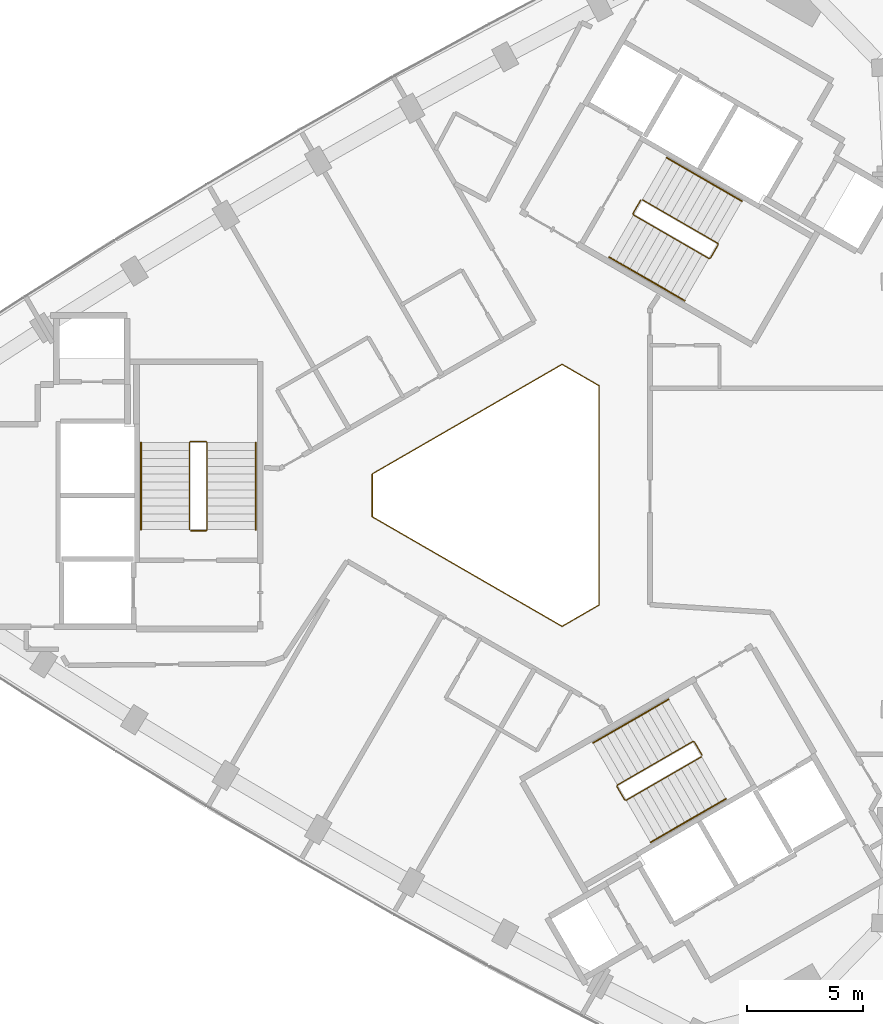
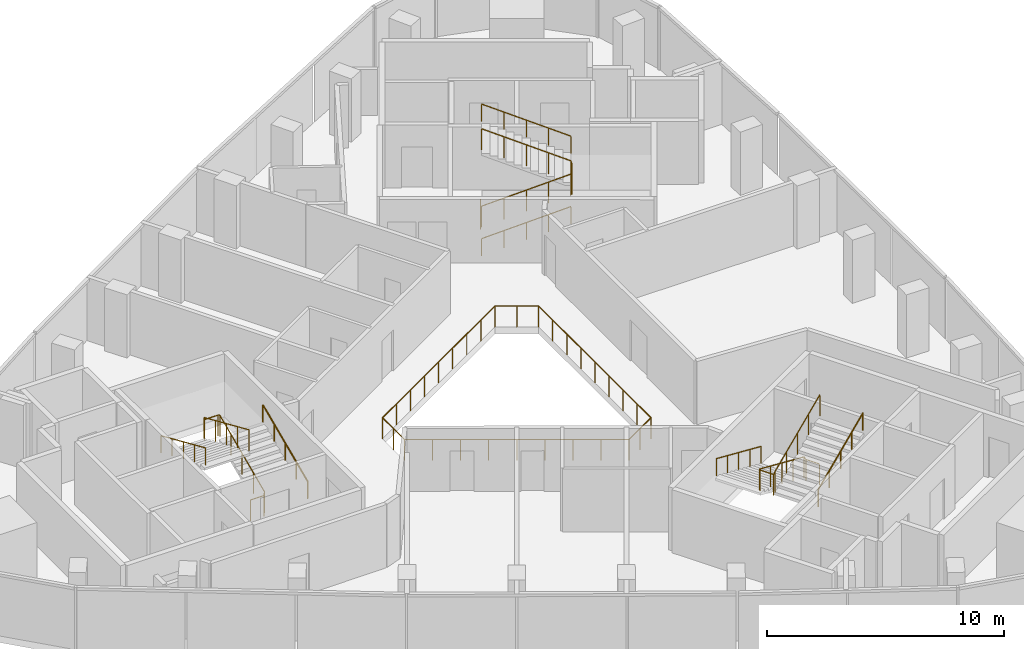
# One storey, part 11 of 11: 10 railings.
"""IFC4 building model written with IfcOpenShell, lengths in metres."""

import ifcopenshell
import ifcopenshell.guid

model = None  # the IFC model being written
_history = None  # IfcOwnerHistory: only IFC2X3 demands one
_inside = {}  # id of a spatial element -> (the spatial element, [elements in it])
_under = {}  # id of a project, library or spatial element -> (it, [spatial elements below it])
_declared = {}  # id of a project -> (the project, [libraries it declares])
_typed = {}  # id of a type object -> (the type object, [elements of that type])
_made_of = {}  # id of a material, layer set ... -> (it, [elements and type objects made of it])


def new_model(schema):
    """Start an empty IFC model of exactly this schema.

    Asked for "IFC4X3", IfcOpenShell would pick the latest addendum, in which some entities
    have other attributes; the version numbers below select the first issue.
    IFC2X3 requires an IfcOwnerHistory on every rooted entity: one is made here for all.
    """
    global model, _history
    if schema == "IFC4X3":
        model = ifcopenshell.file(schema_version=(4, 3, 0, 0))
    else:
        model = ifcopenshell.file(schema=schema)
    _inside.clear()
    _under.clear()
    _declared.clear()
    _typed.clear()
    _made_of.clear()
    _history = None
    if model.schema == "IFC2X3":
        org = make("IfcOrganization", Name="unknown")
        user = make(
            "IfcPersonAndOrganization",
            ThePerson=make("IfcPerson", FamilyName="unknown"),
            TheOrganization=org,
        )
        app = make(
            "IfcApplication",
            ApplicationDeveloper=org,
            Version="unknown",
            ApplicationFullName="unknown",
            ApplicationIdentifier="unknown",
        )
        _history = make(
            "IfcOwnerHistory",
            OwningUser=user,
            OwningApplication=app,
            ChangeAction="ADDED",
            CreationDate=0,
        )
    return model


def make(cls, **values):
    """One entity of the class cls with the attributes given. An attribute that is None is left unset."""
    return model.create_entity(
        cls, **{name: value for name, value in values.items() if value is not None}
    )


def rooted(cls, **values):
    """An entity with a GlobalId (a new one), such as an element, a storey or a relation."""
    return make(cls, GlobalId=ifcopenshell.guid.new(), OwnerHistory=_history, **values)


def si_unit(unit_type, name, prefix=None):
    """IfcSIUnit, for example si_unit("LENGTHUNIT", "METRE", prefix="MILLI")."""
    return make("IfcSIUnit", UnitType=unit_type, Prefix=prefix, Name=name)


def assignment(units):
    """IfcUnitAssignment: the units of a project."""
    return None if units is None else make("IfcUnitAssignment", Units=units)


def point(xyz):
    """IfcCartesianPoint."""
    return None if xyz is None else make("IfcCartesianPoint", Coordinates=xyz)


def direction(xyz):
    """IfcDirection."""
    return None if xyz is None else make("IfcDirection", DirectionRatios=xyz)


def frame(location, z_axis=None, x_axis=None):
    """IfcAxis2Placement3D, a coordinate frame: its origin and axes. An axis left out is left unset."""
    return make(
        "IfcAxis2Placement3D",
        Location=point(location),
        Axis=direction(z_axis),
        RefDirection=direction(x_axis),
    )


def frame_2d(location, x_axis=None):
    """IfcAxis2Placement2D, a coordinate frame in the plane: its origin and x axis."""
    return make(
        "IfcAxis2Placement2D", Location=point(location), RefDirection=direction(x_axis)
    )


def origin():
    """The frame at (0, 0, 0) with its axes left unset."""
    return frame((0.0, 0.0, 0.0))


def origin_2d():
    """The frame at (0, 0) in the plane with its x axis left unset."""
    return frame_2d((0.0, 0.0))


def place(relative_to, where):
    """IfcLocalPlacement: puts the frame where relative to a parent placement (None: the world)."""
    return make(
        "IfcLocalPlacement", PlacementRelTo=relative_to, RelativePlacement=where
    )


def context(
    kind, dimensions, precision=None, world=None, true_north=None, identifier=None
):
    """IfcGeometricRepresentationContext, for example the 3D "Model" context."""
    return make(
        "IfcGeometricRepresentationContext",
        ContextIdentifier=identifier,
        ContextType=kind,
        CoordinateSpaceDimension=dimensions,
        Precision=precision,
        WorldCoordinateSystem=world,
        TrueNorth=true_north,
    )


def subcontext(parent, identifier, kind, view, scale=None):
    """IfcGeometricRepresentationSubContext, for example "Body" below "Model"."""
    return make(
        "IfcGeometricRepresentationSubContext",
        ContextIdentifier=identifier,
        ContextType=kind,
        ParentContext=parent,
        TargetScale=scale,
        TargetView=view,
    )


def project(units=None, contexts=None):
    """IfcProject with its units and contexts."""
    return rooted(
        "IfcProject",
        Name="project",
        RepresentationContexts=contexts,
        UnitsInContext=assignment(units),
    )


def spatial(cls, under=None, at=None, **own):
    """A site, building, storey or space (cls), placed at a placement, below another one or the project."""
    s = rooted(cls, ObjectPlacement=at, **own)
    if under is not None:
        _under.setdefault(under.id(), (under, []))[1].append(s)
    return s


def profile(cls, at=None, kind="AREA", **sizes):
    """A parametric profile (cls). Its sizes go by their IFC names, for example OverallWidth=200.0."""
    return make(cls, ProfileType=kind, Position=at, **sizes)


def circle(**sizes):
    """IfcCircleProfileDef."""
    return profile("IfcCircleProfileDef", **sizes)


def extrude(swept, where, along, depth):
    """IfcExtrudedAreaSolid: the profile swept, set in the frame where, extruded along a direction by depth."""
    return make(
        "IfcExtrudedAreaSolid",
        SweptArea=swept,
        Position=where,
        ExtrudedDirection=direction(along),
        Depth=depth,
    )


def shape(context_of_items, identifier, shape_type, items):
    """IfcShapeRepresentation: the items that make up one representation, for example the "Body"."""
    return make(
        "IfcShapeRepresentation",
        ContextOfItems=context_of_items,
        RepresentationIdentifier=identifier,
        RepresentationType=shape_type,
        Items=items,
    )


def material(Name=None, Category=None):
    """IfcMaterial."""
    return make("IfcMaterial", Name=Name, Category=Category)


def made_of(thing, what):
    """Note that an element or type object is made of a material, layer set ...; save() writes the relation."""
    if what is not None:
        _made_of.setdefault(what.id(), (what, []))[1].append(thing)
    return thing


def type_object(cls, material=None, **own):
    """A type object (cls), such as IfcWallType, which elements share."""
    return made_of(rooted(cls, **own), material)


def element(
    cls,
    number,
    at=None,
    inside=None,
    cuts=None,
    type_object=None,
    material=None,
    context=None,
    identifier="Body",
    shape_type=None,
    held_by="IfcProductDefinitionShape",
    body=None,
    shapes=None,
    **own,
):
    """One element of the class cls, such as IfcWall. Its Tag is "e" and its number.

    at: its placement. inside: the storey or other place that contains it. cuts: it is an
    opening in that element (IfcRelVoidsElement). A single representation is given by context,
    identifier, shape_type and body (its items); several are given by shapes. held_by: the class
    of the entity that holds the representations. save() writes the other relations.
    """
    e = rooted(cls, Tag="e%d" % number, ObjectPlacement=at, **own)
    if body is not None:
        shapes = [shape(context, identifier, shape_type, body)]
    if shapes is not None:
        e.Representation = make(held_by, Representations=shapes)
    if inside is not None:
        _inside.setdefault(inside.id(), (inside, []))[1].append(e)
    if cuts is not None:
        rooted(
            "IfcRelVoidsElement", RelatingBuildingElement=cuts, RelatedOpeningElement=e
        )
    if type_object is not None:
        _typed.setdefault(type_object.id(), (type_object, []))[1].append(e)
    return made_of(e, material)


def aggregate(whole, parts):
    """IfcRelAggregates: a whole, such as a stair, and the parts it consists of."""
    return rooted("IfcRelAggregates", RelatingObject=whole, RelatedObjects=parts)


def save(model, path):
    """Write the relations noted so far, then the file.

    IfcRelAggregates (storeys below a building ...), IfcRelContainedInSpatialStructure (elements
    in a storey), IfcRelDefinesByType, IfcRelAssociatesMaterial and IfcRelDeclares: one each for
    every whole, place, type object, material and project.
    """
    for whole, parts in _under.values():
        aggregate(whole, parts)
    for where, things in _inside.values():
        rooted(
            "IfcRelContainedInSpatialStructure",
            RelatedElements=things,
            RelatingStructure=where,
        )
    for kind, things in _typed.values():
        rooted("IfcRelDefinesByType", RelatedObjects=things, RelatingType=kind)
    for what, things in _made_of.values():
        rooted("IfcRelAssociatesMaterial", RelatedObjects=things, RelatingMaterial=what)
    for by, libraries in _declared.values():
        rooted("IfcRelDeclares", RelatingContext=by, RelatedDefinitions=libraries)
    model.write(path)


model = new_model("IFC4")

# Units and contexts
model_context = context("Model", 3, precision=1e-05, world=origin(), true_north=direction((0.0, 1.0)))
body_context = subcontext(model_context, "Body", "Model", "MODEL_VIEW")
ifc_project = project(units=[si_unit("LENGTHUNIT", "METRE"), si_unit("AREAUNIT", "SQUARE_METRE"), si_unit("VOLUMEUNIT", "CUBIC_METRE"), si_unit("PLANEANGLEUNIT", "RADIAN"), si_unit("MASSUNIT", "GRAM", prefix="KILO")], contexts=[model_context])

# Site, building, storey
site_placement = place(None, origin())
site = spatial("IfcSite", under=ifc_project, at=site_placement, CompositionType="ELEMENT")
building_placement = place(site_placement, origin())
building = spatial("IfcBuilding", under=site, at=building_placement, Name="Tamra Quay Hotel Tower", CompositionType="ELEMENT")
storey_placement = place(building_placement, frame((0.0, 0.0, 225.0)))
storey = spatial("IfcBuildingStorey", under=building, at=storey_placement, Name="L56", CompositionType="ELEMENT", Elevation=225.0)

# Railings
ifc_material_1 = material(Name="Guard atrium edge 1100")
railing_type_1 = type_object("IfcRailingType", Name="Guard atrium edge 1100", PredefinedType="GUARDRAIL", material=ifc_material_1)
railing_1_placement = place(storey_placement, frame((3.800048828125, -4.73388671875, 0.0)))
element("IfcRailing", 1, at=railing_1_placement, inside=storey, type_object=railing_type_1, Name="G-A", PredefinedType="GUARDRAIL", context=body_context, shape_type="SweptSolid", body=[
    extrude(circle(Radius=0.02392578125, at=origin_2d()), frame((0.0, 0.0, 1.076171875), z_axis=(-0.865965533559, -0.500103683937, 0.0), x_axis=(0.500103683937, -0.865965533559, 0.0)), (0.0, 0.0, 1.0), 1.84765625),
    extrude(circle(Radius=0.02392578125, at=origin_2d()), frame((-1.60009765625, -0.924072265625, 1.076171875), z_axis=(-0.86604174356, 0.49997169761, 0.0), x_axis=(-0.49997169761, -0.86604174356, 0.0)), (0.0, 0.0, 1.0), 9.46826171875),
    extrude(circle(Radius=0.02392578125, at=origin_2d()), frame((-9.800048828125, 3.809814453125, 1.076171875), z_axis=(0.0, 1.0, 0.0), x_axis=(-1.0, 0.0, 0.0)), (0.0, 0.0, 1.0), 1.84814453125),
    extrude(circle(Radius=0.02392578125, at=origin_2d()), frame((-9.800048828125, 5.657958984375, 1.076171875), z_axis=(0.86604174356, 0.49997169761, 0.0), x_axis=(-0.49997169761, 0.86604174356, 0.0)), (0.0, 0.0, 1.0), 9.46826171875),
    extrude(circle(Radius=0.02392578125, at=origin_2d()), frame((-1.60009765625, 10.391845703125, 1.076171875), z_axis=(0.865965533559, -0.500103683937, 0.0), x_axis=(0.500103683937, 0.865965533559, 0.0)), (0.0, 0.0, 1.0), 1.84765625),
    extrude(circle(Radius=0.02392578125, at=origin_2d()), frame((0.0, 9.4677734375, 1.076171875), z_axis=(0.0, -1.0, 0.0), x_axis=(1.0, 0.0, 0.0)), (0.0, 0.0, 1.0), 9.4677734375),
    extrude(circle(Radius=0.02099609375, at=origin_2d()), origin(), (0.0, 0.0, 1.0), 1.052001953125),
    extrude(circle(Radius=0.02099609375, at=origin_2d()), frame((-0.800048828125, -0.4619140625, 0.0)), (0.0, 0.0, 1.0), 1.052001953125),
    extrude(circle(Radius=0.02099609375, at=origin_2d()), frame((-1.60009765625, -0.924072265625, 0.0)), (0.0, 0.0, 1.0), 1.052001953125),
    extrude(circle(Radius=0.02099609375, at=origin_2d()), frame((-2.625, -0.332275390625, 0.0)), (0.0, 0.0, 1.0), 1.052001953125),
    extrude(circle(Radius=0.02099609375, at=origin_2d()), frame((-3.650146484375, 0.25927734375, 0.0)), (0.0, 0.0, 1.0), 1.052001953125),
    extrude(circle(Radius=0.02099609375, at=origin_2d()), frame((-4.675048828125, 0.85107421875, 0.0)), (0.0, 0.0, 1.0), 1.052001953125),
    extrude(circle(Radius=0.02099609375, at=origin_2d()), frame((-5.7001953125, 1.44287109375, 0.0)), (0.0, 0.0, 1.0), 1.052001953125),
    extrude(circle(Radius=0.02099609375, at=origin_2d()), frame((-6.72509765625, 2.03466796875, 0.0)), (0.0, 0.0, 1.0), 1.052001953125),
    extrude(circle(Radius=0.02099609375, at=origin_2d()), frame((-7.75, 2.62646484375, 0.0)), (0.0, 0.0, 1.0), 1.052001953125),
    extrude(circle(Radius=0.02099609375, at=origin_2d()), frame((-8.775146484375, 3.218017578125, 0.0)), (0.0, 0.0, 1.0), 1.052001953125),
    extrude(circle(Radius=0.02099609375, at=origin_2d()), frame((-9.800048828125, 3.809814453125, 0.0)), (0.0, 0.0, 1.0), 1.052001953125),
    extrude(circle(Radius=0.02099609375, at=origin_2d()), frame((-9.800048828125, 4.73388671875, 0.0)), (0.0, 0.0, 1.0), 1.052001953125),
    extrude(circle(Radius=0.02099609375, at=origin_2d()), frame((-9.800048828125, 5.657958984375, 0.0)), (0.0, 0.0, 1.0), 1.052001953125),
    extrude(circle(Radius=0.02099609375, at=origin_2d()), frame((-8.775146484375, 6.249755859375, 0.0)), (0.0, 0.0, 1.0), 1.052001953125),
    extrude(circle(Radius=0.02099609375, at=origin_2d()), frame((-7.75, 6.84130859375, 0.0)), (0.0, 0.0, 1.0), 1.052001953125),
    extrude(circle(Radius=0.02099609375, at=origin_2d()), frame((-6.72509765625, 7.43310546875, 0.0)), (0.0, 0.0, 1.0), 1.052001953125),
    extrude(circle(Radius=0.02099609375, at=origin_2d()), frame((-5.7001953125, 8.02490234375, 0.0)), (0.0, 0.0, 1.0), 1.052001953125),
    extrude(circle(Radius=0.02099609375, at=origin_2d()), frame((-4.675048828125, 8.61669921875, 0.0)), (0.0, 0.0, 1.0), 1.052001953125),
    extrude(circle(Radius=0.02099609375, at=origin_2d()), frame((-3.650146484375, 9.20849609375, 0.0)), (0.0, 0.0, 1.0), 1.052001953125),
    extrude(circle(Radius=0.02099609375, at=origin_2d()), frame((-2.625, 9.800048828125, 0.0)), (0.0, 0.0, 1.0), 1.052001953125),
    extrude(circle(Radius=0.02099609375, at=origin_2d()), frame((-1.60009765625, 10.391845703125, 0.0)), (0.0, 0.0, 1.0), 1.052001953125),
    extrude(circle(Radius=0.02099609375, at=origin_2d()), frame((-0.800048828125, 9.9296875, 0.0)), (0.0, 0.0, 1.0), 1.052001953125),
    extrude(circle(Radius=0.02099609375, at=origin_2d()), frame((0.0, 9.4677734375, 0.0)), (0.0, 0.0, 1.0), 1.052001953125),
    extrude(circle(Radius=0.02099609375, at=origin_2d()), frame((0.0, 8.2841796875, 0.0)), (0.0, 0.0, 1.0), 1.052001953125),
    extrude(circle(Radius=0.02099609375, at=origin_2d()), frame((0.0, 7.100830078125, 0.0)), (0.0, 0.0, 1.0), 1.052001953125),
    extrude(circle(Radius=0.02099609375, at=origin_2d()), frame((0.0, 5.91748046875, 0.0)), (0.0, 0.0, 1.0), 1.052001953125),
    extrude(circle(Radius=0.02099609375, at=origin_2d()), frame((0.0, 4.73388671875, 0.0)), (0.0, 0.0, 1.0), 1.052001953125),
    extrude(circle(Radius=0.02099609375, at=origin_2d()), frame((0.0, 3.55029296875, 0.0)), (0.0, 0.0, 1.0), 1.052001953125),
    extrude(circle(Radius=0.02099609375, at=origin_2d()), frame((0.0, 2.366943359375, 0.0)), (0.0, 0.0, 1.0), 1.052001953125),
    extrude(circle(Radius=0.02099609375, at=origin_2d()), frame((0.0, 1.18359375, 0.0)), (0.0, 0.0, 1.0), 1.052001953125),
])
ifc_material_2 = material(Name="Stair guard 1100")
railing_type_2 = type_object("IfcRailingType", Name="Stair guard 1100", PredefinedType="GUARDRAIL", material=ifc_material_2)
railing_2_placement = place(storey_placement, frame((-13.84130859375, -1.530029296875, 0.0)))
element("IfcRailing", 2, at=railing_2_placement, inside=storey, type_object=railing_type_2, Name="GR", PredefinedType="GUARDRAIL", context=body_context, shape_type="SweptSolid", body=[
    extrude(circle(Radius=0.02392578125, at=origin_2d()), frame((0.0, 0.0, 1.076171875), z_axis=(1.0, 0.0, 0.0), x_axis=(0.0, 1.0, 0.0)), (0.0, 0.0, 1.0), 0.658935546875),
    extrude(circle(Radius=0.02392578125, at=origin_2d()), frame((0.658935546875, 0.0, 1.076171875), z_axis=(0.301912943143, 0.301912943143, 0.904266083366), x_axis=(-0.707106781187, 0.707106781187, 0.0)), (0.0, 0.0, 1.0), 0.165771484375),
    extrude(circle(Radius=0.02392578125, at=origin_2d()), frame((0.708984375, 0.050048828125, 1.22607421875), z_axis=(0.0, 0.915773634228, 0.401694723457), x_axis=(-1.0, 0.0, 0.0)), (0.0, 0.0, 1.0), 4.10791015625),
    extrude(circle(Radius=0.02392578125, at=origin_2d()), frame((0.708984375, 3.81201171875, 2.8759765625), z_axis=(-0.708833529934, 0.705375805398, 0.0), x_axis=(-0.705375805398, -0.708833529934, 0.0)), (0.0, 0.0, 1.0), 0.070556640625),
    extrude(circle(Radius=0.02392578125, at=origin_2d()), frame((0.658935546875, 3.86181640625, 2.8759765625), z_axis=(-1.0, 0.0, 0.0), x_axis=(0.0, -1.0, 0.0)), (0.0, 0.0, 1.0), 0.658935546875),
    extrude(circle(Radius=0.02392578125, at=origin_2d()), frame((0.0, 3.86181640625, 2.8759765625), z_axis=(-0.302046947789, -0.300573548044, 0.904667443621), x_axis=(0.705375805398, -0.708833529934, 0.0)), (0.0, 0.0, 1.0), 0.165771484375),
    extrude(circle(Radius=0.02392578125, at=origin_2d()), frame((-0.050048828125, 3.81201171875, 3.02587890625), z_axis=(0.0, -0.915773634228, 0.401694723457), x_axis=(1.0, 0.0, 0.0)), (0.0, 0.0, 1.0), 4.10791015625),
    extrude(circle(Radius=0.02099609375, at=origin_2d()), origin(), (0.0, 0.0, 1.0), 1.052001953125),
    extrude(circle(Radius=0.02099609375, at=origin_2d()), frame((0.658935546875, 0.0, 0.0)), (0.0, 0.0, 1.0), 1.052001953125),
    extrude(circle(Radius=0.02099609375, at=origin_2d()), frame((0.708984375, 0.050048828125, 0.14990234375)), (0.0, 0.0, 1.0), 1.052001953125),
    extrude(circle(Radius=0.02099609375, at=origin_2d()), frame((0.708984375, 0.990478515625, 0.5625)), (0.0, 0.0, 1.0), 1.052001953125),
    extrude(circle(Radius=0.02099609375, at=origin_2d()), frame((0.708984375, 1.93115234375, 0.97509765625)), (0.0, 0.0, 1.0), 1.052001953125),
    extrude(circle(Radius=0.02099609375, at=origin_2d()), frame((0.708984375, 2.87158203125, 1.387451171875)), (0.0, 0.0, 1.0), 1.052001953125),
    extrude(circle(Radius=0.02099609375, at=origin_2d()), frame((0.708984375, 3.81201171875, 1.800048828125)), (0.0, 0.0, 1.0), 1.052001953125),
    extrude(circle(Radius=0.02099609375, at=origin_2d()), frame((0.658935546875, 3.86181640625, 1.800048828125)), (0.0, 0.0, 1.0), 1.052001953125),
    extrude(circle(Radius=0.02099609375, at=origin_2d()), frame((0.0, 3.86181640625, 1.800048828125)), (0.0, 0.0, 1.0), 1.052001953125),
    extrude(circle(Radius=0.02099609375, at=origin_2d()), frame((-0.050048828125, 3.81201171875, 1.949951171875)), (0.0, 0.0, 1.0), 1.052001953125),
    extrude(circle(Radius=0.02099609375, at=origin_2d()), frame((-0.050048828125, 2.87158203125, 2.362548828125)), (0.0, 0.0, 1.0), 1.052001953125),
    extrude(circle(Radius=0.02099609375, at=origin_2d()), frame((-0.050048828125, 1.93115234375, 2.77490234375)), (0.0, 0.0, 1.0), 1.052001953125),
    extrude(circle(Radius=0.02099609375, at=origin_2d()), frame((-0.050048828125, 0.990478515625, 3.1875)), (0.0, 0.0, 1.0), 1.052001953125),
    extrude(circle(Radius=0.02099609375, at=origin_2d()), frame((-0.050048828125, 0.050048828125, 3.60009765625)), (0.0, 0.0, 1.0), 1.052001953125),
])
railing_3_placement = place(storey_placement, frame((5.595458984375, 12.751953125, 0.0)))
element("IfcRailing", 3, at=railing_3_placement, inside=storey, type_object=railing_type_2, Name="GR", PredefinedType="GUARDRAIL", context=body_context, shape_type="SweptSolid", body=[
    extrude(circle(Radius=0.02392578125, at=origin_2d()), frame((0.0, 0.0, 1.076171875), z_axis=(-0.499765215335, -0.866160914346, 0.0), x_axis=(0.866160914346, -0.499765215335, 0.0)), (0.0, 0.0, 1.0), 0.658935546875),
    extrude(circle(Radius=0.02392578125, at=origin_2d()), frame((-0.329345703125, -0.57080078125, 1.076171875), z_axis=(0.110525977783, -0.411156637351, 0.904839338113), x_axis=(0.965715946433, 0.259601060869, 0.0)), (0.0, 0.0, 1.0), 0.165771484375),
    extrude(circle(Radius=0.02392578125, at=origin_2d()), frame((-0.31103515625, -0.638916015625, 1.22607421875), z_axis=(0.79305953016, -0.457922937641, 0.401700342053), x_axis=(0.500040788363, 0.866001853331, 0.0)), (0.0, 0.0, 1.0), 4.10791015625),
    extrude(circle(Radius=0.02392578125, at=origin_2d()), frame((2.94677734375, -2.52001953125, 2.8759765625), z_axis=(0.965948051503, 0.258736085224, 0.0), x_axis=(-0.258736085224, 0.965948051503, 0.0)), (0.0, 0.0, 1.0), 0.07080078125),
    extrude(circle(Radius=0.02392578125, at=origin_2d()), frame((3.01513671875, -2.501708984375, 2.8759765625), z_axis=(0.500043078269, 0.866000531106, 0.0), x_axis=(-0.866000531106, 0.500043078269, 0.0)), (0.0, 0.0, 1.0), 0.6591796875),
    extrude(circle(Radius=0.02392578125, at=origin_2d()), frame((3.3447265625, -1.930908203125, 2.8759765625), z_axis=(-0.110525977783, 0.411156637351, 0.904839338113), x_axis=(-0.965715946433, -0.259601060869, 0.0)), (0.0, 0.0, 1.0), 0.165771484375),
    extrude(circle(Radius=0.02392578125, at=origin_2d()), frame((3.326416015625, -1.86279296875, 3.02587890625), z_axis=(-0.793081581205, 0.457901355053, 0.401681409319), x_axis=(-0.500012686397, -0.866018079166, 0.0)), (0.0, 0.0, 1.0), 4.108154296875),
    extrude(circle(Radius=0.02099609375, at=origin_2d()), origin(), (0.0, 0.0, 1.0), 1.052001953125),
    extrude(circle(Radius=0.02099609375, at=origin_2d()), frame((-0.329345703125, -0.57080078125, 0.0)), (0.0, 0.0, 1.0), 1.052001953125),
    extrude(circle(Radius=0.02099609375, at=origin_2d()), frame((-0.31103515625, -0.638916015625, 0.14990234375)), (0.0, 0.0, 1.0), 1.052001953125),
    extrude(circle(Radius=0.02099609375, at=origin_2d()), frame((0.50341796875, -1.109130859375, 0.5625)), (0.0, 0.0, 1.0), 1.052001953125),
    extrude(circle(Radius=0.02099609375, at=origin_2d()), frame((1.31787109375, -1.57958984375, 0.97509765625)), (0.0, 0.0, 1.0), 1.052001953125),
    extrude(circle(Radius=0.02099609375, at=origin_2d()), frame((2.13232421875, -2.0498046875, 1.387451171875)), (0.0, 0.0, 1.0), 1.052001953125),
    extrude(circle(Radius=0.02099609375, at=origin_2d()), frame((2.94677734375, -2.52001953125, 1.800048828125)), (0.0, 0.0, 1.0), 1.052001953125),
    extrude(circle(Radius=0.02099609375, at=origin_2d()), frame((3.01513671875, -2.501708984375, 1.800048828125)), (0.0, 0.0, 1.0), 1.052001953125),
    extrude(circle(Radius=0.02099609375, at=origin_2d()), frame((3.3447265625, -1.930908203125, 1.800048828125)), (0.0, 0.0, 1.0), 1.052001953125),
    extrude(circle(Radius=0.02099609375, at=origin_2d()), frame((3.326416015625, -1.86279296875, 1.949951171875)), (0.0, 0.0, 1.0), 1.052001953125),
    extrude(circle(Radius=0.02099609375, at=origin_2d()), frame((2.511962890625, -1.392578125, 2.362548828125)), (0.0, 0.0, 1.0), 1.052001953125),
    extrude(circle(Radius=0.02099609375, at=origin_2d()), frame((1.697265625, -0.92236328125, 2.77490234375)), (0.0, 0.0, 1.0), 1.052001953125),
    extrude(circle(Radius=0.02099609375, at=origin_2d()), frame((0.8828125, -0.451904296875, 3.1875)), (0.0, 0.0, 1.0), 1.052001953125),
    extrude(circle(Radius=0.02099609375, at=origin_2d()), frame((0.068359375, 0.018310546875, 3.60009765625)), (0.0, 0.0, 1.0), 1.052001953125),
])
railing_4_placement = place(storey_placement, frame((8.245849609375, -11.221923828125, 0.0)))
element("IfcRailing", 4, at=railing_4_placement, inside=storey, type_object=railing_type_2, Name="GR", PredefinedType="GUARDRAIL", context=body_context, shape_type="SweptSolid", body=[
    extrude(circle(Radius=0.02392578125, at=origin_2d()), frame((0.0, 0.0, 1.076171875), z_axis=(-0.500043078269, 0.866000531106, 0.0), x_axis=(-0.866000531106, -0.500043078269, 0.0)), (0.0, 0.0, 1.0), 0.6591796875),
    extrude(circle(Radius=0.02392578125, at=origin_2d()), frame((-0.32958984375, 0.57080078125, 1.076171875), z_axis=(-0.41238007866, 0.110458949641, 0.904290601062), x_axis=(-0.258736085224, -0.965948051503, 0.0)), (0.0, 0.0, 1.0), 0.165771484375),
    extrude(circle(Radius=0.02392578125, at=origin_2d()), frame((-0.39794921875, 0.589111328125, 1.22607421875), z_axis=(-0.793081581205, -0.457901355053, 0.401681409319), x_axis=(0.500012686397, -0.866018079166, 0.0)), (0.0, 0.0, 1.0), 4.108154296875),
    extrude(circle(Radius=0.02392578125, at=origin_2d()), frame((-3.656005859375, -1.2919921875, 2.8759765625), z_axis=(-0.256368644879, -0.966579080015, 0.0), x_axis=(0.966579080015, -0.256368644879, 0.0)), (0.0, 0.0, 1.0), 0.070556640625),
    extrude(circle(Radius=0.02392578125, at=origin_2d()), frame((-3.674072265625, -1.360107421875, 2.8759765625), z_axis=(0.499765215335, -0.866160914346, 0.0), x_axis=(0.866160914346, 0.499765215335, 0.0)), (0.0, 0.0, 1.0), 0.658935546875),
    extrude(circle(Radius=0.02392578125, at=origin_2d()), frame((-3.3447265625, -1.930908203125, 2.8759765625), z_axis=(0.41238007866, -0.110458949641, 0.904290601062), x_axis=(0.258736085224, 0.965948051503, 0.0)), (0.0, 0.0, 1.0), 0.165771484375),
    extrude(circle(Radius=0.02392578125, at=origin_2d()), frame((-3.2763671875, -1.94921875, 3.02587890625), z_axis=(0.793081581205, 0.457901355053, 0.401681409319), x_axis=(-0.500012686397, 0.866018079166, 0.0)), (0.0, 0.0, 1.0), 4.108154296875),
    extrude(circle(Radius=0.02099609375, at=origin_2d()), origin(), (0.0, 0.0, 1.0), 1.052001953125),
    extrude(circle(Radius=0.02099609375, at=origin_2d()), frame((-0.32958984375, 0.57080078125, 0.0)), (0.0, 0.0, 1.0), 1.052001953125),
    extrude(circle(Radius=0.02099609375, at=origin_2d()), frame((-0.39794921875, 0.589111328125, 0.14990234375)), (0.0, 0.0, 1.0), 1.052001953125),
    extrude(circle(Radius=0.02099609375, at=origin_2d()), frame((-1.21240234375, 0.118896484375, 0.5625)), (0.0, 0.0, 1.0), 1.052001953125),
    extrude(circle(Radius=0.02099609375, at=origin_2d()), frame((-2.02685546875, -0.3515625, 0.97509765625)), (0.0, 0.0, 1.0), 1.052001953125),
    extrude(circle(Radius=0.02099609375, at=origin_2d()), frame((-2.841552734375, -0.82177734375, 1.387451171875)), (0.0, 0.0, 1.0), 1.052001953125),
    extrude(circle(Radius=0.02099609375, at=origin_2d()), frame((-3.656005859375, -1.2919921875, 1.800048828125)), (0.0, 0.0, 1.0), 1.052001953125),
    extrude(circle(Radius=0.02099609375, at=origin_2d()), frame((-3.674072265625, -1.360107421875, 1.800048828125)), (0.0, 0.0, 1.0), 1.052001953125),
    extrude(circle(Radius=0.02099609375, at=origin_2d()), frame((-3.3447265625, -1.930908203125, 1.800048828125)), (0.0, 0.0, 1.0), 1.052001953125),
    extrude(circle(Radius=0.02099609375, at=origin_2d()), frame((-3.2763671875, -1.94921875, 1.949951171875)), (0.0, 0.0, 1.0), 1.052001953125),
    extrude(circle(Radius=0.02099609375, at=origin_2d()), frame((-2.4619140625, -1.47900390625, 2.362548828125)), (0.0, 0.0, 1.0), 1.052001953125),
    extrude(circle(Radius=0.02099609375, at=origin_2d()), frame((-1.6474609375, -1.0087890625, 2.77490234375)), (0.0, 0.0, 1.0), 1.052001953125),
    extrude(circle(Radius=0.02099609375, at=origin_2d()), frame((-0.832763671875, -0.538330078125, 3.1875)), (0.0, 0.0, 1.0), 1.052001953125),
    extrude(circle(Radius=0.02099609375, at=origin_2d()), frame((-0.018310546875, -0.068115234375, 3.60009765625)), (0.0, 0.0, 1.0), 1.052001953125),
])
ifc_material_3 = material(Name="Stair handrail 900")
railing_type_3 = type_object("IfcRailingType", Name="Stair handrail 900", PredefinedType="HANDRAIL", material=ifc_material_3)
railing_5_placement = place(storey_placement, frame((-11.0322265625, -1.47998046875, 0.14990234375)))
element("IfcRailing", 5, at=railing_5_placement, inside=storey, type_object=railing_type_3, Name="HR", PredefinedType="HANDRAIL", context=body_context, shape_type="SweptSolid", body=[
    extrude(circle(Radius=0.02392578125, at=origin_2d()), frame((0.0, 0.0, 0.8759765625), z_axis=(0.0, 0.915773634228, 0.401694723457), x_axis=(-1.0, 0.0, 0.0)), (0.0, 0.0, 1.0), 4.10791015625),
    extrude(circle(Radius=0.02099609375, at=origin_2d()), origin(), (0.0, 0.0, 1.0), 0.851806640625),
    extrude(circle(Radius=0.02099609375, at=origin_2d()), frame((0.0, 0.9404296875, 0.41259765625)), (0.0, 0.0, 1.0), 0.851806640625),
    extrude(circle(Radius=0.02099609375, at=origin_2d()), frame((0.0, 1.880859375, 0.8251953125)), (0.0, 0.0, 1.0), 0.851806640625),
    extrude(circle(Radius=0.02099609375, at=origin_2d()), frame((0.0, 2.821533203125, 1.237548828125)), (0.0, 0.0, 1.0), 0.851806640625),
    extrude(circle(Radius=0.02099609375, at=origin_2d()), frame((0.0, 3.761962890625, 1.650146484375)), (0.0, 0.0, 1.0), 0.851806640625),
])
railing_6_placement = place(storey_placement, frame((-15.9912109375, 2.281982421875, 1.949951171875)))
element("IfcRailing", 6, at=railing_6_placement, inside=storey, type_object=railing_type_3, Name="HR", PredefinedType="HANDRAIL", context=body_context, shape_type="SweptSolid", body=[
    extrude(circle(Radius=0.02392578125, at=origin_2d()), frame((0.0, 0.0, 0.8759765625), z_axis=(0.0, -0.915773634228, 0.401694723457), x_axis=(1.0, 0.0, 0.0)), (0.0, 0.0, 1.0), 4.10791015625),
    extrude(circle(Radius=0.02099609375, at=origin_2d()), origin(), (0.0, 0.0, 1.0), 0.851806640625),
    extrude(circle(Radius=0.02099609375, at=origin_2d()), frame((0.0, -0.9404296875, 0.41259765625)), (0.0, 0.0, 1.0), 0.851806640625),
    extrude(circle(Radius=0.02099609375, at=origin_2d()), frame((0.0, -1.880859375, 0.8251953125)), (0.0, 0.0, 1.0), 0.851806640625),
    extrude(circle(Radius=0.02099609375, at=origin_2d()), frame((0.0, -2.821533203125, 1.237548828125)), (0.0, 0.0, 1.0), 0.851806640625),
    extrude(circle(Radius=0.02099609375, at=origin_2d()), frame((0.0, -3.761962890625, 1.650146484375)), (0.0, 0.0, 1.0), 0.851806640625),
])
railing_7_placement = place(storey_placement, frame((4.234375, 10.294189453125, 0.14990234375)))
element("IfcRailing", 7, at=railing_7_placement, inside=storey, type_object=railing_type_3, Name="HR", PredefinedType="HANDRAIL", context=body_context, shape_type="SweptSolid", body=[
    extrude(circle(Radius=0.02392578125, at=origin_2d()), frame((0.0, 0.0, 0.8759765625), z_axis=(0.793103162556, -0.457854384738, 0.401692339881), x_axis=(0.499964013922, 0.86604617936, 0.0)), (0.0, 0.0, 1.0), 4.10791015625),
    extrude(circle(Radius=0.02099609375, at=origin_2d()), origin(), (0.0, 0.0, 1.0), 0.851806640625),
    extrude(circle(Radius=0.02099609375, at=origin_2d()), frame((0.814453125, -0.47021484375, 0.41259765625)), (0.0, 0.0, 1.0), 0.851806640625),
    extrude(circle(Radius=0.02099609375, at=origin_2d()), frame((1.62890625, -0.9404296875, 0.8251953125)), (0.0, 0.0, 1.0), 0.851806640625),
    extrude(circle(Radius=0.02099609375, at=origin_2d()), frame((2.443603515625, -1.41064453125, 1.237548828125)), (0.0, 0.0, 1.0), 0.851806640625),
    extrude(circle(Radius=0.02099609375, at=origin_2d()), frame((3.258056640625, -1.880859375, 1.650146484375)), (0.0, 0.0, 1.0), 0.851806640625),
])
railing_8_placement = place(storey_placement, frame((9.971923828125, 12.7080078125, 1.949951171875)))
element("IfcRailing", 8, at=railing_8_placement, inside=storey, type_object=railing_type_3, Name="HR", PredefinedType="HANDRAIL", context=body_context, shape_type="SweptSolid", body=[
    extrude(circle(Radius=0.02392578125, at=origin_2d()), frame((0.0, 0.0, 0.8759765625), z_axis=(-0.793103162556, 0.457854384738, 0.401692339881), x_axis=(-0.499964013922, -0.86604617936, 0.0)), (0.0, 0.0, 1.0), 4.10791015625),
    extrude(circle(Radius=0.02099609375, at=origin_2d()), origin(), (0.0, 0.0, 1.0), 0.851806640625),
    extrude(circle(Radius=0.02099609375, at=origin_2d()), frame((-0.814453125, 0.47021484375, 0.41259765625)), (0.0, 0.0, 1.0), 0.851806640625),
    extrude(circle(Radius=0.02099609375, at=origin_2d()), frame((-1.62890625, 0.9404296875, 0.8251953125)), (0.0, 0.0, 1.0), 0.851806640625),
    extrude(circle(Radius=0.02099609375, at=origin_2d()), frame((-2.443603515625, 1.41064453125, 1.237548828125)), (0.0, 0.0, 1.0), 0.851806640625),
    extrude(circle(Radius=0.02099609375, at=origin_2d()), frame((-3.258056640625, 1.880859375, 1.650146484375)), (0.0, 0.0, 1.0), 0.851806640625),
])
railing_9_placement = place(storey_placement, frame((6.7978515625, -8.814208984375, 0.14990234375)))
element("IfcRailing", 9, at=railing_9_placement, inside=storey, type_object=railing_type_3, Name="HR", PredefinedType="HANDRAIL", context=body_context, shape_type="SweptSolid", body=[
    extrude(circle(Radius=0.02392578125, at=origin_2d()), frame((0.0, 0.0, 0.8759765625), z_axis=(-0.793081112945, -0.457875966286, 0.40171127416), x_axis=(0.499992114976, -0.866029956157, 0.0)), (0.0, 0.0, 1.0), 4.10791015625),
    extrude(circle(Radius=0.02099609375, at=origin_2d()), origin(), (0.0, 0.0, 1.0), 0.851806640625),
    extrude(circle(Radius=0.02099609375, at=origin_2d()), frame((-0.814453125, -0.47021484375, 0.41259765625)), (0.0, 0.0, 1.0), 0.851806640625),
    extrude(circle(Radius=0.02099609375, at=origin_2d()), frame((-1.62890625, -0.9404296875, 0.8251953125)), (0.0, 0.0, 1.0), 0.851806640625),
    extrude(circle(Radius=0.02099609375, at=origin_2d()), frame((-2.443359375, -1.41064453125, 1.237548828125)), (0.0, 0.0, 1.0), 0.851806640625),
    extrude(circle(Radius=0.02099609375, at=origin_2d()), frame((-3.2578125, -1.880859375, 1.650146484375)), (0.0, 0.0, 1.0), 0.851806640625),
])
railing_10_placement = place(storey_placement, frame((6.01953125, -14.98974609375, 1.949951171875)))
element("IfcRailing", 10, at=railing_10_placement, inside=storey, type_object=railing_type_3, Name="HR", PredefinedType="HANDRAIL", context=body_context, shape_type="SweptSolid", body=[
    extrude(circle(Radius=0.02392578125, at=origin_2d()), frame((0.0, 0.0, 0.8759765625), z_axis=(0.793081112945, 0.457875966286, 0.40171127416), x_axis=(-0.499992114976, 0.866029956157, 0.0)), (0.0, 0.0, 1.0), 4.10791015625),
    extrude(circle(Radius=0.02099609375, at=origin_2d()), origin(), (0.0, 0.0, 1.0), 0.851806640625),
    extrude(circle(Radius=0.02099609375, at=origin_2d()), frame((0.814453125, 0.47021484375, 0.41259765625)), (0.0, 0.0, 1.0), 0.851806640625),
    extrude(circle(Radius=0.02099609375, at=origin_2d()), frame((1.62890625, 0.9404296875, 0.8251953125)), (0.0, 0.0, 1.0), 0.851806640625),
    extrude(circle(Radius=0.02099609375, at=origin_2d()), frame((2.443359375, 1.41064453125, 1.237548828125)), (0.0, 0.0, 1.0), 0.851806640625),
    extrude(circle(Radius=0.02099609375, at=origin_2d()), frame((3.2578125, 1.880859375, 1.650146484375)), (0.0, 0.0, 1.0), 0.851806640625),
])

save(model, "model.ifc")
